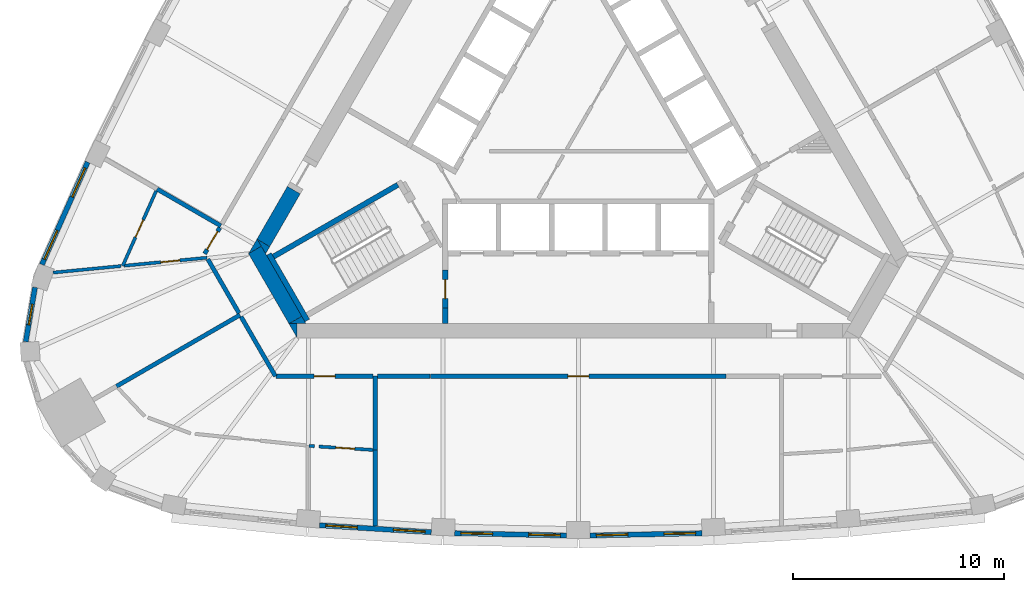
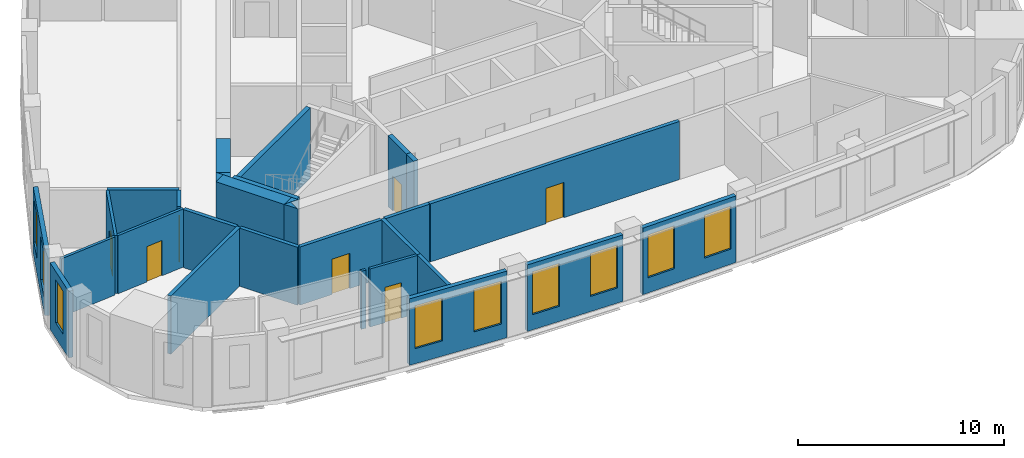
# One storey, part 3 of 10: 30 walls, 9 windows, 7 doors, 16 openings.
"""IFC4 building model written with IfcOpenShell, lengths in metres."""

from ifc_helpers import new_model, si_unit, direction, frame, frame_2d, origin, place, context, subcontext, project, spatial, polyline, rectangle, outline, extrude, material, layer, layer_set, type_object, element, fill, save


model = new_model("IFC4")

# Units and contexts
model_context = context("Model", 3, precision=1e-05, world=origin(), true_north=direction((0.0, 1.0)))
body_context = subcontext(model_context, "Body", "Model", "MODEL_VIEW")
ifc_project = project(units=[si_unit("LENGTHUNIT", "METRE"), si_unit("AREAUNIT", "SQUARE_METRE"), si_unit("VOLUMEUNIT", "CUBIC_METRE"), si_unit("PLANEANGLEUNIT", "RADIAN"), si_unit("MASSUNIT", "GRAM", prefix="KILO")], contexts=[model_context])

# Site, building, storey
site_placement = place(None, origin())
site = spatial("IfcSite", under=ifc_project, at=site_placement, CompositionType="ELEMENT")
building_placement = place(site_placement, origin())
building = spatial("IfcBuilding", under=site, at=building_placement, Name="Mestral Congress Tower", CompositionType="ELEMENT")
storey_placement = place(building_placement, frame((0.0, 0.0, 243.60009765625)))
storey = spatial("IfcBuildingStorey", under=building, at=storey_placement, Name="L57", CompositionType="ELEMENT", Elevation=243.60009765625)

# Walls
ifc_material_1 = material(Name="Concrete C60/75", Category="concrete")
ifc_layer_1 = layer(ifc_material_1, 0.699951171875)
ifc_layer_set_1 = layer_set([ifc_layer_1], Name="Concrete C60/75")
wall_type_1 = type_object("IfcWallType", Name="Core wall RC 700", PredefinedType="SOLIDWALL", material=ifc_layer_set_1)
placement = place(storey_placement, origin())
element("IfcWall", 1, at=placement, inside=storey, type_object=wall_type_1, Name="L57 core wall", PredefinedType="SOLIDWALL", context=body_context, shape_type="SweptSolid", body=[
    extrude(outline(polyline([(-13.7119140625, -9.64990234375), (-13.323974609375, -9.64990234375), (-13.323974609375, -10.322021484375), (-13.7119140625, -9.64990234375)])), origin(), (0.0, 0.0, 1.0), 4.199951171875),
])
wall_2_placement = place(storey_placement, frame((-13.40185546875, -9.4873046875, 0.0), z_axis=(0.0, 0.0, 1.0), x_axis=(-0.500020498207, 0.866013568815, 0.0)))
element("IfcWall", 2, at=wall_2_placement, inside=storey, type_object=wall_type_1, Name="L57 core wall", PredefinedType="SOLIDWALL", context=body_context, shape_type="SweptSolid", body=[
    extrude(rectangle(XDim=3.828857421875, YDim=0.699951171875, at=frame_2d((1.91455078125, 0.0))), origin(), (0.0, 0.0, 1.0), 4.199951171875),
])
element("IfcWall", 3, at=placement, inside=storey, type_object=wall_type_1, Name="L57 core wall", PredefinedType="SOLIDWALL", context=body_context, shape_type="SweptSolid", body=[
    extrude(outline(polyline([(-15.01416015625, -5.99462890625), (-15.611083984375, -6.33935546875), (-15.213134765625, -5.64990234375), (-15.01416015625, -5.99462890625)])), origin(), (0.0, 0.0, 1.0), 4.199951171875),
])
element("IfcWall", 4, at=placement, inside=storey, type_object=wall_type_1, Name="L57 core wall", PredefinedType="SOLIDWALL", context=body_context, shape_type="SweptSolid", body=[
    extrude(outline(polyline([(-12.90380859375, -9.64990234375), (-13.6796875, -9.64990234375), (-13.097900390625, -9.31396484375), (-12.90380859375, -9.64990234375)])), origin(), (0.0, 0.0, 1.0), 4.199951171875),
])
wall_5_placement = place(storey_placement, frame((-13.474853515625, -3.33935546875, 0.0), z_axis=(0.0, 0.0, 1.0), x_axis=(-0.500008214683, -0.866020660983, 0.0)))
element("IfcWall", 5, at=wall_5_placement, inside=storey, type_object=wall_type_1, Name="L57 core wall", PredefinedType="SOLIDWALL", context=body_context, shape_type="SweptSolid", body=[
    extrude(rectangle(XDim=2.88427734375, YDim=0.699951171875, at=frame_2d((1.442138671875, 0.0))), origin(), (0.0, 0.0, 1.0), 4.199951171875),
])
element("IfcWall", 6, at=placement, inside=storey, type_object=wall_type_1, Name="L57 core wall", PredefinedType="SOLIDWALL", context=body_context, shape_type="SweptSolid", body=[
    extrude(outline(polyline([(-14.80908203125, -6.35009765625), (-15.197021484375, -5.677978515625), (-14.614990234375, -6.013916015625), (-14.80908203125, -6.35009765625)])), origin(), (0.0, 0.0, 1.0), 4.199951171875),
])

# Wall, openings, windows
ifc_material_2 = material(Name="Precast concrete C40/50 with limestone facing", Category="masonry")
ifc_layer_2 = layer(ifc_material_2, 0.239990234375)
ifc_layer_set_2 = layer_set([ifc_layer_2], Name="Precast concrete C40/50 with limestone facing")
wall_type_2 = type_object("IfcWallType", Name="Facade stone wall 240", PredefinedType="SOLIDWALL", material=ifc_layer_set_2)
wall_7_placement = place(storey_placement, frame((-12.253173828125, -19.21337890625, 0.0), z_axis=(0.0, 0.0, 1.0), x_axis=(0.9980633213, -0.062206162685, 0.0)))
wall_7 = element("IfcWall", 7, at=wall_7_placement, inside=storey, type_object=wall_type_2, Name="Facade wall F0-01", PredefinedType="SOLIDWALL", context=body_context, shape_type="SweptSolid", body=[
    extrude(rectangle(XDim=5.29833984375, YDim=0.239990234375, at=frame_2d((2.649169921875, 0.0))), origin(), (0.0, 0.0, 1.0), 3.949951171875),
])
opening_1_placement = place(wall_7_placement, frame((0.29443359375, 0.0, 0.89990234375)))
opening_1 = element("IfcOpeningElement", 8, at=opening_1_placement, cuts=wall_7, Name="Opening W4", PredefinedType="OPENING", context=body_context, shape_type="SweptSolid", body=[
    extrude(rectangle(XDim=1.5, YDim=2.550048828125, at=frame_2d((0.75, 1.27490234375))), frame((0.0, 0.1298828125, 0.0), z_axis=(0.0, -1.0, 0.0), x_axis=(1.0, 0.0, 0.0)), (0.0, 0.0, 1.0), 0.260009765625),
])
opening_2_placement = place(wall_7_placement, frame((3.503662109375, 0.0, 0.89990234375)))
opening_2 = element("IfcOpeningElement", 9, at=opening_2_placement, cuts=wall_7, Name="Opening W4", PredefinedType="OPENING", context=body_context, shape_type="SweptSolid", body=[
    extrude(rectangle(XDim=1.5, YDim=2.550048828125, at=frame_2d((0.75, 1.27490234375))), frame((0.0, 0.1298828125, 0.0), z_axis=(0.0, -1.0, 0.0), x_axis=(1.0, 0.0, 0.0)), (0.0, 0.0, 1.0), 0.260009765625),
])
ifc_material_3 = material(Name="Clear low-emissivity double glazing", Category="glass")
window_type_1 = type_object("IfcWindowType", Name="Facade punched window 1500 x 2550 sill 900", PartitioningType="SINGLE_PANEL", PredefinedType="WINDOW", material=ifc_material_3)
window_1_placement = place(opening_1_placement, origin())
window_1 = element("IfcWindow", 10, at=window_1_placement, inside=storey, type_object=window_type_1, Name="Window F0-01a", OverallHeight=2.550048828125, OverallWidth=1.5, PartitioningType="SINGLE_PANEL", PredefinedType="WINDOW", context=body_context, shape_type="SweptSolid", body=[
    extrude(rectangle(XDim=1.5, YDim=2.550048828125, at=frame_2d((0.75, 1.27490234375))), frame((0.0, 0.0400390625, 0.0), z_axis=(0.0, -1.0, 0.0), x_axis=(1.0, 0.0, 0.0)), (0.0, 0.0, 1.0), 0.06005859375),
])
fill(opening_1, window_1)
window_2_placement = place(opening_2_placement, origin())
window_2 = element("IfcWindow", 11, at=window_2_placement, inside=storey, type_object=window_type_1, Name="Window F0-01b", OverallHeight=2.550048828125, OverallWidth=1.5, PartitioningType="SINGLE_PANEL", PredefinedType="WINDOW", context=body_context, shape_type="SweptSolid", body=[
    extrude(rectangle(XDim=1.5, YDim=2.550048828125, at=frame_2d((0.75, 1.27490234375))), frame((0.0, 0.0400390625, 0.0), z_axis=(0.0, -1.0, 0.0), x_axis=(1.0, 0.0, 0.0)), (0.0, 0.0, 1.0), 0.06005859375),
])
fill(opening_2, window_2)

wall_8_placement = place(storey_placement, frame((-5.853515625, -19.589111328125, 0.0), z_axis=(0.0, 0.0, 1.0), x_axis=(0.999784035184, -0.020781794712, 0.0)))
wall_8 = element("IfcWall", 12, at=wall_8_placement, inside=storey, type_object=wall_type_2, Name="Facade wall F0-02", PredefinedType="SOLIDWALL", context=body_context, shape_type="SweptSolid", body=[
    extrude(rectangle(XDim=5.29833984375, YDim=0.239990234375, at=frame_2d((2.649169921875, 0.0))), origin(), (0.0, 0.0, 1.0), 3.949951171875),
])
opening_3_placement = place(wall_8_placement, frame((0.29443359375, 0.0, 0.89990234375)))
opening_3 = element("IfcOpeningElement", 13, at=opening_3_placement, cuts=wall_8, Name="Opening W4", PredefinedType="OPENING", context=body_context, shape_type="SweptSolid", body=[
    extrude(rectangle(XDim=1.5, YDim=2.550048828125, at=frame_2d((0.75, 1.27490234375))), frame((0.0, 0.1298828125, 0.0), z_axis=(0.0, -1.0, 0.0), x_axis=(1.0, 0.0, 0.0)), (0.0, 0.0, 1.0), 0.260009765625),
])
opening_4_placement = place(wall_8_placement, frame((3.503662109375, 0.0, 0.89990234375)))
opening_4 = element("IfcOpeningElement", 14, at=opening_4_placement, cuts=wall_8, Name="Opening W4", PredefinedType="OPENING", context=body_context, shape_type="SweptSolid", body=[
    extrude(rectangle(XDim=1.5, YDim=2.550048828125, at=frame_2d((0.75, 1.27490234375))), frame((0.0, 0.1298828125, 0.0), z_axis=(0.0, -1.0, 0.0), x_axis=(1.0, 0.0, 0.0)), (0.0, 0.0, 1.0), 0.260009765625),
])
window_3_placement = place(opening_3_placement, origin())
window_3 = element("IfcWindow", 15, at=window_3_placement, inside=storey, type_object=window_type_1, Name="Window F0-02a", OverallHeight=2.550048828125, OverallWidth=1.5, PartitioningType="SINGLE_PANEL", PredefinedType="WINDOW", context=body_context, shape_type="SweptSolid", body=[
    extrude(rectangle(XDim=1.5, YDim=2.550048828125, at=frame_2d((0.75, 1.27490234375))), frame((0.0, 0.0400390625, 0.0), z_axis=(0.0, -1.0, 0.0), x_axis=(1.0, 0.0, 0.0)), (0.0, 0.0, 1.0), 0.06005859375),
])
fill(opening_3, window_3)
window_4_placement = place(opening_4_placement, origin())
window_4 = element("IfcWindow", 16, at=window_4_placement, inside=storey, type_object=window_type_1, Name="Window F0-02b", OverallHeight=2.550048828125, OverallWidth=1.5, PartitioningType="SINGLE_PANEL", PredefinedType="WINDOW", context=body_context, shape_type="SweptSolid", body=[
    extrude(rectangle(XDim=1.5, YDim=2.550048828125, at=frame_2d((0.75, 1.27490234375))), frame((0.0, 0.0400390625, 0.0), z_axis=(0.0, -1.0, 0.0), x_axis=(1.0, 0.0, 0.0)), (0.0, 0.0, 1.0), 0.06005859375),
])
fill(opening_4, window_4)

wall_9_placement = place(storey_placement, frame((0.556396484375, -19.69921875, 0.0), z_axis=(0.0, 0.0, 1.0), x_axis=(0.999784035184, 0.020781794712, 0.0)))
wall_9 = element("IfcWall", 17, at=wall_9_placement, inside=storey, type_object=wall_type_2, Name="Facade wall F0-03", PredefinedType="SOLIDWALL", context=body_context, shape_type="SweptSolid", body=[
    extrude(rectangle(XDim=5.29833984375, YDim=0.239990234375, at=frame_2d((2.649169921875, 0.0))), origin(), (0.0, 0.0, 1.0), 3.949951171875),
])
opening_5_placement = place(wall_9_placement, frame((0.29443359375, 0.0, 0.89990234375)))
opening_5 = element("IfcOpeningElement", 18, at=opening_5_placement, cuts=wall_9, Name="Opening W4", PredefinedType="OPENING", context=body_context, shape_type="SweptSolid", body=[
    extrude(rectangle(XDim=1.5, YDim=2.550048828125, at=frame_2d((0.75, 1.27490234375))), frame((0.0, 0.1298828125, 0.0), z_axis=(0.0, -1.0, 0.0), x_axis=(1.0, 0.0, 0.0)), (0.0, 0.0, 1.0), 0.260009765625),
])
opening_6_placement = place(wall_9_placement, frame((3.503662109375, 0.0, 0.89990234375)))
opening_6 = element("IfcOpeningElement", 19, at=opening_6_placement, cuts=wall_9, Name="Opening W4", PredefinedType="OPENING", context=body_context, shape_type="SweptSolid", body=[
    extrude(rectangle(XDim=1.5, YDim=2.550048828125, at=frame_2d((0.75, 1.27490234375))), frame((0.0, 0.1298828125, 0.0), z_axis=(0.0, -1.0, 0.0), x_axis=(1.0, 0.0, 0.0)), (0.0, 0.0, 1.0), 0.260009765625),
])
window_5_placement = place(opening_5_placement, origin())
window_5 = element("IfcWindow", 20, at=window_5_placement, inside=storey, type_object=window_type_1, Name="Window F0-03a", OverallHeight=2.550048828125, OverallWidth=1.5, PartitioningType="SINGLE_PANEL", PredefinedType="WINDOW", context=body_context, shape_type="SweptSolid", body=[
    extrude(rectangle(XDim=1.5, YDim=2.550048828125, at=frame_2d((0.75, 1.27490234375))), frame((0.0, 0.0400390625, 0.0), z_axis=(0.0, -1.0, 0.0), x_axis=(1.0, 0.0, 0.0)), (0.0, 0.0, 1.0), 0.06005859375),
])
fill(opening_5, window_5)
window_6_placement = place(opening_6_placement, origin())
window_6 = element("IfcWindow", 21, at=window_6_placement, inside=storey, type_object=window_type_1, Name="Window F0-03b", OverallHeight=2.550048828125, OverallWidth=1.5, PartitioningType="SINGLE_PANEL", PredefinedType="WINDOW", context=body_context, shape_type="SweptSolid", body=[
    extrude(rectangle(XDim=1.5, YDim=2.550048828125, at=frame_2d((0.75, 1.27490234375))), frame((0.0, 0.0400390625, 0.0), z_axis=(0.0, -1.0, 0.0), x_axis=(1.0, 0.0, 0.0)), (0.0, 0.0, 1.0), 0.06005859375),
])
fill(opening_6, window_6)

wall_10_placement = place(storey_placement, frame((-23.240478515625, -2.01123046875, 0.0), z_axis=(0.0, 0.0, 1.0), x_axis=(-0.407579651789, -0.913169659728, 0.0)))
wall_10 = element("IfcWall", 22, at=wall_10_placement, inside=storey, type_object=wall_type_2, Name="Facade wall F2-05", PredefinedType="SOLIDWALL", context=body_context, shape_type="SweptSolid", body=[
    extrude(rectangle(XDim=5.310791015625, YDim=0.239990234375, at=frame_2d((2.6552734375, 0.0))), origin(), (0.0, 0.0, 1.0), 3.949951171875),
])
opening_7_placement = place(wall_10_placement, frame((0.306396484375, 0.0, 0.89990234375)))
opening_7 = element("IfcOpeningElement", 23, at=opening_7_placement, cuts=wall_10, Name="Opening W4", PredefinedType="OPENING", context=body_context, shape_type="SweptSolid", body=[
    extrude(rectangle(XDim=1.5, YDim=2.550048828125, at=frame_2d((0.75, 1.27490234375))), frame((0.0, 0.1298828125, 0.0), z_axis=(0.0, -1.0, 0.0), x_axis=(1.0, 0.0, 0.0)), (0.0, 0.0, 1.0), 0.260009765625),
])
opening_8_placement = place(wall_10_placement, frame((3.539306640625, 0.0, 0.89990234375)))
opening_8 = element("IfcOpeningElement", 24, at=opening_8_placement, cuts=wall_10, Name="Opening W4", PredefinedType="OPENING", context=body_context, shape_type="SweptSolid", body=[
    extrude(rectangle(XDim=1.5, YDim=2.550048828125, at=frame_2d((0.75, 1.27490234375))), frame((0.0, 0.1298828125, 0.0), z_axis=(0.0, -1.0, 0.0), x_axis=(1.0, 0.0, 0.0)), (0.0, 0.0, 1.0), 0.260009765625),
])
window_7_placement = place(opening_7_placement, origin())
window_7 = element("IfcWindow", 25, at=window_7_placement, inside=storey, type_object=window_type_1, Name="Window F2-05a", OverallHeight=2.550048828125, OverallWidth=1.5, PartitioningType="SINGLE_PANEL", PredefinedType="WINDOW", context=body_context, shape_type="SweptSolid", body=[
    extrude(rectangle(XDim=1.5, YDim=2.550048828125, at=frame_2d((0.75, 1.27490234375))), frame((0.0, 0.0400390625, 0.0), z_axis=(0.0, -1.0, 0.0), x_axis=(1.0, 0.0, 0.0)), (0.0, 0.0, 1.0), 0.06005859375),
])
fill(opening_7, window_7)
window_8_placement = place(opening_8_placement, origin())
window_8 = element("IfcWindow", 26, at=window_8_placement, inside=storey, type_object=window_type_1, Name="Window F2-05b", OverallHeight=2.550048828125, OverallWidth=1.5, PartitioningType="SINGLE_PANEL", PredefinedType="WINDOW", context=body_context, shape_type="SweptSolid", body=[
    extrude(rectangle(XDim=1.5, YDim=2.550048828125, at=frame_2d((0.75, 1.27490234375))), frame((0.0, 0.0400390625, 0.0), z_axis=(0.0, -1.0, 0.0), x_axis=(1.0, 0.0, 0.0)), (0.0, 0.0, 1.0), 0.06005859375),
])
fill(opening_8, window_8)

# Wall, opening, window
wall_11_placement = place(storey_placement, frame((-25.734130859375, -7.94482421875, 0.0), z_axis=(0.0, 0.0, 1.0), x_axis=(-0.167660055546, -0.985844869021, 0.0)))
wall_11 = element("IfcWall", 27, at=wall_11_placement, inside=storey, type_object=wall_type_2, Name="Facade wall K2-0", PredefinedType="SOLIDWALL", context=body_context, shape_type="SweptSolid", body=[
    extrude(rectangle(XDim=2.609375, YDim=0.239990234375, at=frame_2d((1.3046875, 0.0))), origin(), (0.0, 0.0, 1.0), 3.949951171875),
])
opening_9_placement = place(wall_11_placement, frame((0.8046875, 0.0, 0.89990234375)))
opening_9 = element("IfcOpeningElement", 28, at=opening_9_placement, cuts=wall_11, Name="Opening W5", PredefinedType="OPENING", context=body_context, shape_type="SweptSolid", body=[
    extrude(rectangle(XDim=1.0, YDim=2.550048828125, at=frame_2d((0.5, 1.27490234375))), frame((0.0, 0.1298828125, 0.0), z_axis=(0.0, -1.0, 0.0), x_axis=(1.0, 0.0, 0.0)), (0.0, 0.0, 1.0), 0.260009765625),
])
window_type_2 = type_object("IfcWindowType", Name="Facade punched window 1000 x 2550 sill 900", PartitioningType="SINGLE_PANEL", PredefinedType="WINDOW", material=ifc_material_3)
window_9_placement = place(opening_9_placement, origin())
window_9 = element("IfcWindow", 29, at=window_9_placement, inside=storey, type_object=window_type_2, Name="Window K2-0", OverallHeight=2.550048828125, OverallWidth=1.0, PartitioningType="SINGLE_PANEL", PredefinedType="WINDOW", context=body_context, shape_type="SweptSolid", body=[
    extrude(rectangle(XDim=1.0, YDim=2.550048828125, at=frame_2d((0.5, 1.27490234375))), frame((0.0, 0.0400390625, 0.0), z_axis=(0.0, -1.0, 0.0), x_axis=(1.0, 0.0, 0.0)), (0.0, 0.0, 1.0), 0.06005859375),
])
fill(opening_9, window_9)

# Wall, opening, door
ifc_material_4 = material(Name="Plasterboard partition on steel studs", Category="steel")
ifc_layer_3 = layer(ifc_material_4, 0.14990234375)
ifc_layer_set_3 = layer_set([ifc_layer_3], Name="Plasterboard partition on steel studs")
wall_type_3 = type_object("IfcWallType", Name="Office partition 150", PredefinedType="PARTITIONING", material=ifc_layer_set_3)
wall_12_placement = place(storey_placement, frame((-21.57958984375, -6.926513671875, 0.0), z_axis=(0.0, 0.0, 1.0), x_axis=(0.407612492408, 0.913155001099, 0.0)))
wall_12 = element("IfcWall", 30, at=wall_12_placement, inside=storey, type_object=wall_type_3, Name="Partition", PredefinedType="PARTITIONING", context=body_context, shape_type="SweptSolid", body=[
    extrude(rectangle(XDim=3.88671875, YDim=0.14990234375, at=frame_2d((1.943359375, 0.0))), origin(), (0.0, 0.0, 1.0), 3.449951171875),
])
opening_10_placement = place(wall_12_placement, frame((1.486572265625, 0.0, 0.0)))
opening_10 = element("IfcOpeningElement", 31, at=opening_10_placement, cuts=wall_12, Name="Opening O09-016", PredefinedType="OPENING", context=body_context, shape_type="SweptSolid", body=[
    extrude(rectangle(XDim=0.89990234375, YDim=2.10009765625, at=frame_2d((0.449951171875, 1.050048828125))), frame((0.0, 0.0849609375, 0.0), z_axis=(0.0, -1.0, 0.0), x_axis=(1.0, 0.0, 0.0)), (0.0, 0.0, 1.0), 0.169921875),
])
ifc_material_5 = material(Name="Timber door set", Category="wood")
door_type_1 = type_object("IfcDoorType", Name="Office door 900x2100", OperationType="SINGLE_SWING_LEFT", PredefinedType="DOOR", material=ifc_material_5)
door_1_placement = place(opening_10_placement, origin())
door_1 = element("IfcDoor", 32, at=door_1_placement, inside=storey, type_object=door_type_1, Name="Door O09-016", OperationType="SINGLE_SWING_LEFT", OverallHeight=2.10009765625, OverallWidth=0.89990234375, PredefinedType="DOOR", context=body_context, shape_type="SweptSolid", body=[
    extrude(rectangle(XDim=0.89990234375, YDim=2.10009765625, at=frame_2d((0.449951171875, 1.050048828125))), frame((0.0, 0.02490234375, 0.0), z_axis=(0.0, -1.0, 0.0), x_axis=(1.0, 0.0, 0.0)), (0.0, 0.0, 1.0), 0.050048828125),
])
fill(opening_10, door_1)

# Wall
wall_13_placement = place(storey_placement, frame((-21.66552734375, -6.934814453125, 0.0), z_axis=(0.0, 0.0, 1.0), x_axis=(-0.995359155707, -0.096229679155, 0.0)))
element("IfcWall", 33, at=wall_13_placement, inside=storey, type_object=wall_type_3, Name="Partition", PredefinedType="PARTITIONING", context=body_context, shape_type="SweptSolid", body=[
    extrude(rectangle(XDim=3.219482421875, YDim=0.14990234375, at=frame_2d((1.60986328125, 0.0))), origin(), (0.0, 0.0, 1.0), 3.449951171875),
])

# Wall, opening, door
wall_14_placement = place(storey_placement, frame((-17.5859375, -6.540283203125, 0.0), z_axis=(0.0, 0.0, 1.0), x_axis=(-0.995356357863, -0.096258614479, 0.0)))
wall_14 = element("IfcWall", 34, at=wall_14_placement, inside=storey, type_object=wall_type_3, Name="Partition", PredefinedType="PARTITIONING", context=body_context, shape_type="SweptSolid", body=[
    extrude(rectangle(XDim=3.92626953125, YDim=0.14990234375, at=frame_2d((1.963134765625, 0.0))), origin(), (0.0, 0.0, 1.0), 3.449951171875),
])
opening_11_placement = place(wall_14_placement, frame((1.300048828125, 0.0, 0.0)))
opening_11 = element("IfcOpeningElement", 35, at=opening_11_placement, cuts=wall_14, Name="Opening O09-018", PredefinedType="OPENING", context=body_context, shape_type="SweptSolid", body=[
    extrude(rectangle(XDim=0.89990234375, YDim=2.10009765625, at=frame_2d((0.449951171875, 1.050048828125))), frame((0.0, 0.0849609375, 0.0), z_axis=(0.0, -1.0, 0.0), x_axis=(1.0, 0.0, 0.0)), (0.0, 0.0, 1.0), 0.169921875),
])
door_2_placement = place(opening_11_placement, origin())
door_2 = element("IfcDoor", 36, at=door_2_placement, inside=storey, type_object=door_type_1, Name="Door O09-018", OperationType="SINGLE_SWING_LEFT", OverallHeight=2.10009765625, OverallWidth=0.89990234375, PredefinedType="DOOR", context=body_context, shape_type="SweptSolid", body=[
    extrude(rectangle(XDim=0.89990234375, YDim=2.10009765625, at=frame_2d((0.449951171875, 1.050048828125))), frame((0.0, 0.02490234375, 0.0), z_axis=(0.0, -1.0, 0.0), x_axis=(1.0, 0.0, 0.0)), (0.0, 0.0, 1.0), 0.050048828125),
])
fill(opening_11, door_2)

# Wall
wall_15_placement = place(storey_placement, frame((-12.74755859375, -15.445068359375, 0.0), z_axis=(0.0, 0.0, 1.0), x_axis=(0.99468140225, -0.102999553487, 0.0)))
element("IfcWall", 37, at=wall_15_placement, inside=storey, type_object=wall_type_3, Name="Partition", PredefinedType="PARTITIONING", context=body_context, shape_type="SweptSolid", body=[
    extrude(rectangle(XDim=0.248779296875, YDim=0.14990234375, at=frame_2d((0.12451171875, 0.0))), origin(), (0.0, 0.0, 1.0), 3.449951171875),
])

# Wall, opening, door
wall_16_placement = place(storey_placement, frame((-9.7197265625, -15.64404296875, 0.0), z_axis=(0.0, 0.0, 1.0), x_axis=(-0.998064382534, 0.062189133425, 0.0)))
wall_16 = element("IfcWall", 38, at=wall_16_placement, inside=storey, type_object=wall_type_3, Name="Partition", PredefinedType="PARTITIONING", context=body_context, shape_type="SweptSolid", body=[
    extrude(rectangle(XDim=2.5712890625, YDim=0.14990234375, at=frame_2d((1.28564453125, 0.0))), origin(), (0.0, 0.0, 1.0), 3.449951171875),
])
opening_12_placement = place(wall_16_placement, frame((0.871337890625, 0.0, 0.0)))
opening_12 = element("IfcOpeningElement", 39, at=opening_12_placement, cuts=wall_16, Name="Opening O09-020", PredefinedType="OPENING", context=body_context, shape_type="SweptSolid", body=[
    extrude(rectangle(XDim=0.89990234375, YDim=2.10009765625, at=frame_2d((0.449951171875, 1.050048828125))), frame((0.0, 0.0849609375, 0.0), z_axis=(0.0, -1.0, 0.0), x_axis=(1.0, 0.0, 0.0)), (0.0, 0.0, 1.0), 0.169921875),
])
door_3_placement = place(opening_12_placement, origin())
door_3 = element("IfcDoor", 40, at=door_3_placement, inside=storey, type_object=door_type_1, Name="Door O09-020", OperationType="SINGLE_SWING_RIGHT", OverallHeight=2.10009765625, OverallWidth=0.89990234375, PredefinedType="DOOR", context=body_context, shape_type="SweptSolid", body=[
    extrude(rectangle(XDim=0.89990234375, YDim=2.10009765625, at=frame_2d((0.449951171875, 1.050048828125))), frame((0.0, 0.02490234375, 0.0), z_axis=(0.0, -1.0, 0.0), x_axis=(1.0, 0.0, 0.0)), (0.0, 0.0, 1.0), 0.050048828125),
])
fill(opening_12, door_3)

# Walls
ifc_material_6 = material(Name="Dense masonry wall, plastered", Category="masonry")
ifc_layer_4 = layer(ifc_material_6, 0.199951171875)
ifc_layer_set_4 = layer_set([ifc_layer_4], Name="Dense masonry wall, plastered")
wall_type_4 = type_object("IfcWallType", Name="Office tenancy wall 200", PredefinedType="PARTITIONING", material=ifc_layer_set_4)
wall_17_placement = place(storey_placement, frame((-9.61962890625, -19.25732421875, 0.0), z_axis=(0.0, 0.0, 1.0), x_axis=(0.0, 1.0, 0.0)))
element("IfcWall", 41, at=wall_17_placement, inside=storey, type_object=wall_type_4, Name="Tenancy wall", PredefinedType="PARTITIONING", context=body_context, shape_type="SweptSolid", body=[
    extrude(rectangle(XDim=3.611083984375, YDim=0.199951171875, at=frame_2d((1.8056640625, 0.0))), origin(), (0.0, 0.0, 1.0), 3.449951171875),
])
wall_18_placement = place(storey_placement, frame((-9.61962890625, -15.654296875, 0.0), z_axis=(0.0, 0.0, 1.0), x_axis=(0.0, 1.0, 0.0)))
element("IfcWall", 42, at=wall_18_placement, inside=storey, type_object=wall_type_4, Name="Tenancy wall", PredefinedType="PARTITIONING", context=body_context, shape_type="SweptSolid", body=[
    extrude(rectangle(XDim=3.50439453125, YDim=0.199951171875, at=frame_2d((1.752197265625, 0.0))), origin(), (0.0, 0.0, 1.0), 3.449951171875),
])

# Wall, opening, door
wall_19_placement = place(storey_placement, frame((-7.0, -12.14990234375, 0.0), z_axis=(0.0, 0.0, 1.0), x_axis=(1.0, 0.0, 0.0)))
wall_19 = element("IfcWall", 43, at=wall_19_placement, inside=storey, type_object=wall_type_4, Name="Tenancy wall", PredefinedType="PARTITIONING", context=body_context, shape_type="SweptSolid", body=[
    extrude(rectangle(XDim=14.0, YDim=0.199951171875, at=frame_2d((7.0, 0.0))), origin(), (0.0, 0.0, 1.0), 3.449951171875),
])
opening_13_placement = place(wall_19_placement, frame((6.5, 0.0, 0.0)))
opening_13 = element("IfcOpeningElement", 44, at=opening_13_placement, cuts=wall_19, Name="Opening O09-001", PredefinedType="OPENING", context=body_context, shape_type="SweptSolid", body=[
    extrude(rectangle(XDim=1.0, YDim=2.10009765625, at=frame_2d((0.5, 1.050048828125))), frame((0.0, 0.10986328125, 0.0), z_axis=(0.0, -1.0, 0.0), x_axis=(1.0, 0.0, 0.0)), (0.0, 0.0, 1.0), 0.219970703125),
])
ifc_material_7 = material(Name="Fire-rated timber door set", Category="wood")
door_type_2 = type_object("IfcDoorType", Name="Office tenancy entrance door 1000x2100", OperationType="SINGLE_SWING_LEFT", PredefinedType="DOOR", material=ifc_material_7)
door_4_placement = place(opening_13_placement, origin())
door_4 = element("IfcDoor", 45, at=door_4_placement, inside=storey, type_object=door_type_2, Name="Door O09-001", OperationType="SINGLE_SWING_RIGHT", OverallHeight=2.10009765625, OverallWidth=1.0, PredefinedType="DOOR", context=body_context, shape_type="SweptSolid", body=[
    extrude(rectangle(XDim=1.0, YDim=2.10009765625, at=frame_2d((0.5, 1.050048828125))), frame((0.0, 0.02490234375, 0.0), z_axis=(0.0, -1.0, 0.0), x_axis=(1.0, 0.0, 0.0)), (0.0, 0.0, 1.0), 0.050048828125),
])
fill(opening_13, door_4)

# Walls
wall_20_placement = place(storey_placement, frame((-9.519775390625, -12.14990234375, 0.0), z_axis=(0.0, 0.0, 1.0), x_axis=(1.0, 0.0, 0.0)))
element("IfcWall", 46, at=wall_20_placement, inside=storey, type_object=wall_type_4, Name="Tenancy wall", PredefinedType="PARTITIONING", context=body_context, shape_type="SweptSolid", body=[
    extrude(rectangle(XDim=2.48974609375, YDim=0.199951171875, at=frame_2d((1.244873046875, 0.0))), origin(), (0.0, 0.0, 1.0), 3.449951171875),
])
wall_21_placement = place(storey_placement, frame((-16.93359375, -5.02978515625, 0.0), z_axis=(0.0, 0.0, 1.0), x_axis=(-0.866031916153, 0.499988720078, 0.0)))
element("IfcWall", 47, at=wall_21_placement, inside=storey, type_object=wall_type_4, Name="Tenancy wall", PredefinedType="PARTITIONING", context=body_context, shape_type="SweptSolid", body=[
    extrude(rectangle(XDim=3.4921875, YDim=0.199951171875, at=frame_2d((1.74609375, 0.0))), origin(), (0.0, 0.0, 1.0), 3.449951171875),
])

# Wall, opening, door
wall_22_placement = place(storey_placement, frame((-16.9833984375, -5.1162109375, 0.0), z_axis=(0.0, 0.0, 1.0), x_axis=(-0.500009219579, -0.866020080793, 0.0)))
wall_22 = element("IfcWall", 48, at=wall_22_placement, inside=storey, type_object=wall_type_4, Name="Tenancy wall", PredefinedType="PARTITIONING", context=body_context, shape_type="SweptSolid", body=[
    extrude(rectangle(XDim=1.4248046875, YDim=0.199951171875, at=frame_2d((0.71240234375, 0.0))), origin(), (0.0, 0.0, 1.0), 3.449951171875),
])
opening_14_placement = place(wall_22_placement, frame((0.199951171875, 0.0, 0.0)))
opening_14 = element("IfcOpeningElement", 49, at=opening_14_placement, cuts=wall_22, Name="Opening O09-017", PredefinedType="OPENING", context=body_context, shape_type="SweptSolid", body=[
    extrude(rectangle(XDim=1.0, YDim=2.10009765625, at=frame_2d((0.5, 1.050048828125))), frame((0.0, 0.10986328125, 0.0), z_axis=(0.0, -1.0, 0.0), x_axis=(1.0, 0.0, 0.0)), (0.0, 0.0, 1.0), 0.219970703125),
])
door_5_placement = place(opening_14_placement, origin())
door_5 = element("IfcDoor", 50, at=door_5_placement, inside=storey, type_object=door_type_2, Name="Door O09-017", OperationType="SINGLE_SWING_LEFT", OverallHeight=2.10009765625, OverallWidth=1.0, PredefinedType="DOOR", context=body_context, shape_type="SweptSolid", body=[
    extrude(rectangle(XDim=1.0, YDim=2.10009765625, at=frame_2d((0.5, 1.050048828125))), frame((0.0, 0.02490234375, 0.0), z_axis=(0.0, -1.0, 0.0), x_axis=(1.0, 0.0, 0.0)), (0.0, 0.0, 1.0), 0.050048828125),
])
fill(opening_14, door_5)

# Walls
wall_23_placement = place(storey_placement, frame((-16.021484375, -9.25, 0.0), z_axis=(0.0, 0.0, 1.0), x_axis=(-0.86602692059, -0.499997372806, 0.0)))
element("IfcWall", 51, at=wall_23_placement, inside=storey, type_object=wall_type_4, Name="Tenancy wall", PredefinedType="PARTITIONING", context=body_context, shape_type="SweptSolid", body=[
    extrude(rectangle(XDim=6.7646484375, YDim=0.199951171875, at=frame_2d((3.38232421875, 0.0))), origin(), (0.0, 0.0, 1.0), 3.449951171875),
])
wall_24_placement = place(storey_placement, frame((-17.544677734375, -6.61181640625, 0.0), z_axis=(0.0, 0.0, 1.0), x_axis=(0.500006981563, -0.86602137294, 0.0)))
element("IfcWall", 52, at=wall_24_placement, inside=storey, type_object=wall_type_4, Name="Tenancy wall", PredefinedType="PARTITIONING", context=body_context, shape_type="SweptSolid", body=[
    extrude(rectangle(XDim=2.9462890625, YDim=0.199951171875, at=frame_2d((1.47314453125, 0.0))), origin(), (0.0, 0.0, 1.0), 3.449951171875),
])
wall_25_placement = place(storey_placement, frame((-15.971435546875, -9.336669921875, 0.0), z_axis=(0.0, 0.0, 1.0), x_axis=(0.500010870188, -0.866019127788, 0.0)))
element("IfcWall", 53, at=wall_25_placement, inside=storey, type_object=wall_type_4, Name="Tenancy wall", PredefinedType="PARTITIONING", context=body_context, shape_type="SweptSolid", body=[
    extrude(rectangle(XDim=3.24853515625, YDim=0.199951171875, at=frame_2d((1.624267578125, 0.0))), origin(), (0.0, 0.0, 1.0), 3.449951171875),
])

# Wall, opening, door
wall_26_placement = place(storey_placement, frame((-14.317138671875, -12.14990234375, 0.0), z_axis=(0.0, 0.0, 1.0), x_axis=(1.0, 0.0, 0.0)))
wall_26 = element("IfcWall", 54, at=wall_26_placement, inside=storey, type_object=wall_type_4, Name="Tenancy wall", PredefinedType="PARTITIONING", context=body_context, shape_type="SweptSolid", body=[
    extrude(rectangle(XDim=4.597412109375, YDim=0.199951171875, at=frame_2d((2.298828125, 0.0))), origin(), (0.0, 0.0, 1.0), 3.449951171875),
])
opening_15_placement = place(wall_26_placement, frame((1.800048828125, 0.0, 0.0)))
opening_15 = element("IfcOpeningElement", 55, at=opening_15_placement, cuts=wall_26, Name="Opening O09-021", PredefinedType="OPENING", context=body_context, shape_type="SweptSolid", body=[
    extrude(rectangle(XDim=1.0, YDim=2.10009765625, at=frame_2d((0.5, 1.050048828125))), frame((0.0, 0.10986328125, 0.0), z_axis=(0.0, -1.0, 0.0), x_axis=(1.0, 0.0, 0.0)), (0.0, 0.0, 1.0), 0.219970703125),
])
door_6_placement = place(opening_15_placement, origin())
door_6 = element("IfcDoor", 56, at=door_6_placement, inside=storey, type_object=door_type_2, Name="Door O09-021", OperationType="SINGLE_SWING_RIGHT", OverallHeight=2.10009765625, OverallWidth=1.0, PredefinedType="DOOR", context=body_context, shape_type="SweptSolid", body=[
    extrude(rectangle(XDim=1.0, YDim=2.10009765625, at=frame_2d((0.5, 1.050048828125))), frame((0.0, 0.02490234375, 0.0), z_axis=(0.0, -1.0, 0.0), x_axis=(1.0, 0.0, 0.0)), (0.0, 0.0, 1.0), 0.050048828125),
])
fill(opening_15, door_6)

# Wall
ifc_layer_5 = layer(ifc_material_1, 0.25)
ifc_layer_set_5 = layer_set([ifc_layer_5], Name="Concrete C60/75")
wall_type_5 = type_object("IfcWallType", Name="Shaft wall RC 250", PredefinedType="SOLIDWALL", material=ifc_layer_set_5)
wall_27_placement = place(storey_placement, frame((-6.300048828125, -8.9248046875, 0.0), z_axis=(0.0, 0.0, 1.0), x_axis=(0.0, -1.0, 0.0)))
element("IfcWall", 57, at=wall_27_placement, inside=storey, type_object=wall_type_5, Name="L57 core wall", PredefinedType="SOLIDWALL", context=body_context, shape_type="SweptSolid", body=[
    extrude(rectangle(XDim=0.72509765625, YDim=0.25, at=frame_2d((0.362548828125, 0.0))), origin(), (0.0, 0.0, 1.0), 4.199951171875),
])

# Wall, opening, door
wall_28_placement = place(storey_placement, frame((-6.300048828125, -7.12451171875, 0.0), z_axis=(0.0, 0.0, 1.0), x_axis=(0.0, -1.0, 0.0)))
wall_28 = element("IfcWall", 58, at=wall_28_placement, inside=storey, type_object=wall_type_5, Name="L57 door wall", PredefinedType="SOLIDWALL", context=body_context, shape_type="SweptSolid", body=[
    extrude(rectangle(XDim=1.800048828125, YDim=0.25, at=frame_2d((0.89990234375, 0.0))), origin(), (0.0, 0.0, 1.0), 4.199951171875),
])
opening_16_placement = place(wall_28_placement, frame((0.449951171875, 0.0, 0.0)))
opening_16 = element("IfcOpeningElement", 59, at=opening_16_placement, cuts=wall_28, Name="Opening TD3", PredefinedType="OPENING", context=body_context, shape_type="SweptSolid", body=[
    extrude(rectangle(XDim=0.89990234375, YDim=2.10009765625, at=frame_2d((0.449951171875, 1.050048828125))), frame((0.0, 0.135009765625, 0.0), z_axis=(0.0, -1.0, 0.0), x_axis=(1.0, 0.0, 0.0)), (0.0, 0.0, 1.0), 0.27001953125),
])
ifc_material_8 = material(Name="Fire-rated steel door set", Category="steel")
door_type_3 = type_object("IfcDoorType", Name="Core door SR 900x2100", OperationType="SINGLE_SWING_LEFT", PredefinedType="DOOR", material=ifc_material_8)
door_7_placement = place(opening_16_placement, origin())
door_7 = element("IfcDoor", 60, at=door_7_placement, inside=storey, type_object=door_type_3, Name="Door TD3", OperationType="SINGLE_SWING_LEFT", OverallHeight=2.10009765625, OverallWidth=0.89990234375, PredefinedType="DOOR", context=body_context, shape_type="SweptSolid", body=[
    extrude(rectangle(XDim=0.89990234375, YDim=2.10009765625, at=frame_2d((0.449951171875, 1.050048828125))), frame((0.0, 0.02490234375, 0.0), z_axis=(0.0, -1.0, 0.0), x_axis=(1.0, 0.0, 0.0)), (0.0, 0.0, 1.0), 0.050048828125),
])
fill(opening_16, door_7)

# Walls
ifc_layer_6 = layer(ifc_material_1, 0.25)
ifc_layer_set_6 = layer_set([ifc_layer_6], Name="Concrete C60/75")
wall_type_6 = type_object("IfcWallType", Name="Stair wall RC 250", PredefinedType="SOLIDWALL", material=ifc_layer_set_6)
wall_29_placement = place(storey_placement, frame((-12.839599609375, -9.510986328125, 0.0), z_axis=(0.0, 0.0, 1.0), x_axis=(-0.499997733992, 0.866026712061, 0.0)))
element("IfcWall", 61, at=wall_29_placement, inside=storey, type_object=wall_type_6, Name="L57 core wall", PredefinedType="SOLIDWALL", context=body_context, shape_type="SweptSolid", body=[
    extrude(rectangle(XDim=3.6337890625, YDim=0.25, at=frame_2d((1.81689453125, 0.0))), origin(), (0.0, 0.0, 1.0), 4.199951171875),
])
wall_30_placement = place(storey_placement, frame((-14.43994140625, -6.489501953125, 0.0), z_axis=(0.0, 0.0, 1.0), x_axis=(0.866022966069, 0.500004222222, 0.0)))
element("IfcWall", 62, at=wall_30_placement, inside=storey, type_object=wall_type_6, Name="L57 core wall", PredefinedType="SOLIDWALL", context=body_context, shape_type="SweptSolid", body=[
    extrude(rectangle(XDim=6.80029296875, YDim=0.25, at=frame_2d((3.400146484375, 0.0))), origin(), (0.0, 0.0, 1.0), 4.199951171875),
])

save(model, "model.ifc")
